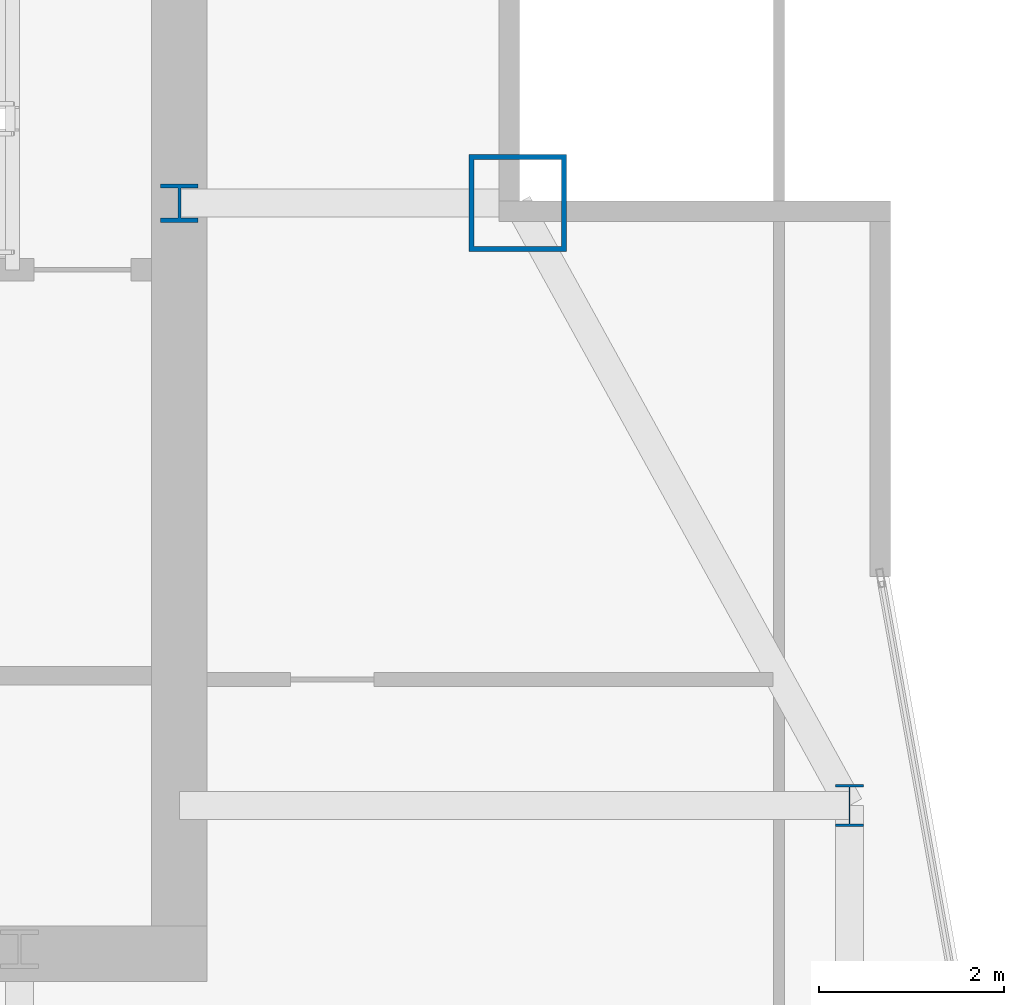
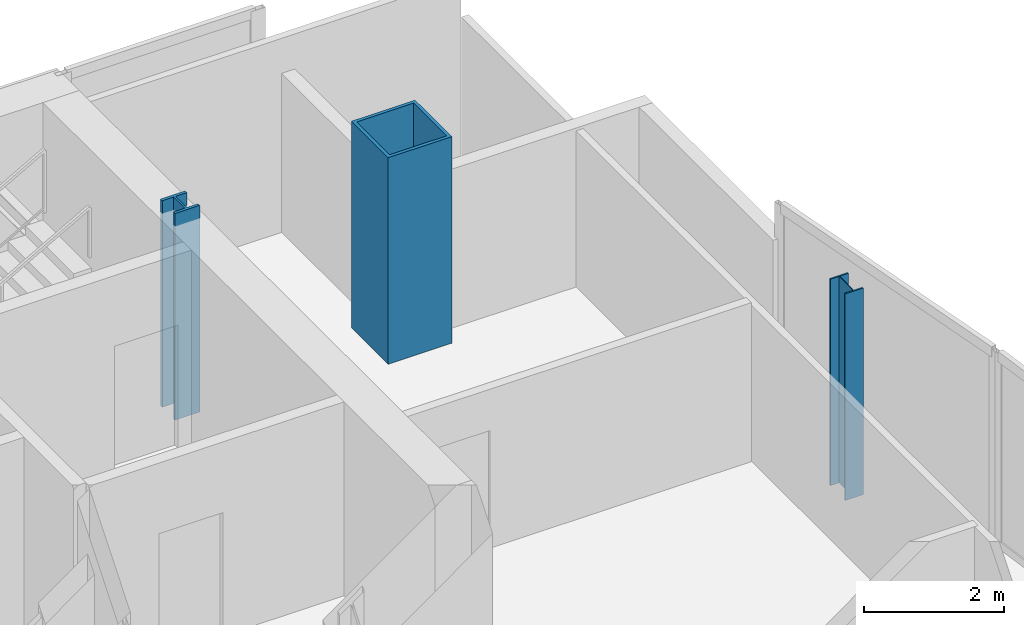
# One storey, part 4 of 30: 3 columns.
"""IFC4 building model written with IfcOpenShell, lengths in metres."""

from ifc_helpers import new_model, si_unit, direction, frame, origin, origin_2d, place, context, subcontext, project, spatial, hollow_rectangle, i_section, extrude, material, material_profile, profile_set, type_object, element, save


model = new_model("IFC4")

# Units and contexts
model_context = context("Model", 3, precision=1e-05, world=origin(), true_north=direction((0.0, 1.0)))
body_context = subcontext(model_context, "Body", "Model", "MODEL_VIEW")
ifc_project = project(units=[si_unit("LENGTHUNIT", "METRE"), si_unit("AREAUNIT", "SQUARE_METRE"), si_unit("VOLUMEUNIT", "CUBIC_METRE"), si_unit("PLANEANGLEUNIT", "RADIAN"), si_unit("MASSUNIT", "GRAM", prefix="KILO")], contexts=[model_context])

# Site, building, storey
site_placement = place(None, origin())
site = spatial("IfcSite", under=ifc_project, at=site_placement, CompositionType="ELEMENT")
building_placement = place(site_placement, origin())
building = spatial("IfcBuilding", under=site, at=building_placement, Name="Khoronbel Lancet Exchange", CompositionType="ELEMENT")
storey_placement = place(building_placement, frame((0.0, 0.0, 253.39990234375)))
storey = spatial("IfcBuildingStorey", under=building, at=storey_placement, Name="L65", CompositionType="ELEMENT", Elevation=253.39990234375)

# Columns
ifc_material_1 = material(Name="Steel S355", Category="steel")
ifc_material_profile_1 = material_profile(ifc_material_1, i_section(OverallWidth=0.406005859375, OverallDepth=0.416015625, WebThickness=0.02978515625, FlangeThickness=0.048095703125, at=origin_2d()), Name="HD 400x382")
ifc_profile_set_1 = profile_set([ifc_material_profile_1], Name="Steel S355")
column_type_1 = type_object("IfcColumnType", Name="COL-IC3", PredefinedType="COLUMN", material=ifc_profile_set_1)
column_1_placement = place(storey_placement, frame((56.39990234375, 49.699951171875, 0.0), z_axis=(0.0, 0.0, 1.0), x_axis=(1.0, 0.0, 0.0)))
element("IfcColumn", 1, at=column_1_placement, inside=storey, type_object=column_type_1, Name="Core-flank plumb transfer column CFE L65", PredefinedType="COLUMN", context=body_context, shape_type="SweptSolid", body=[
    extrude(i_section(OverallWidth=0.406005859375, OverallDepth=0.416015625, WebThickness=0.02978515625, FlangeThickness=0.048095703125, at=origin_2d()), origin(), (0.0, 0.0, 1.0), 3.60009765625),
])
ifc_material_profile_2 = material_profile(ifc_material_1, i_section(OverallWidth=0.300048828125, OverallDepth=0.449951171875, WebThickness=0.013916015625, FlangeThickness=0.02587890625, at=origin_2d()), Name="HEB 450")
ifc_profile_set_2 = profile_set([ifc_material_profile_2], Name="Steel S355")
column_type_2 = type_object("IfcColumnType", Name="COL-LC2", PredefinedType="COLUMN", material=ifc_profile_set_2)
column_2_placement = place(storey_placement, frame((63.6298828125, 43.199951171875, 0.0), z_axis=(0.0, 0.0, 1.0), x_axis=(1.0, 0.0, 0.0)))
element("IfcColumn", 2, at=column_2_placement, inside=storey, type_object=column_type_2, Name="Structural column EC-4 L65", PredefinedType="COLUMN", context=body_context, shape_type="SweptSolid", body=[
    extrude(i_section(OverallWidth=0.300048828125, OverallDepth=0.449951171875, WebThickness=0.013916015625, FlangeThickness=0.02587890625, at=origin_2d()), origin(), (0.0, 0.0, 1.0), 3.60009765625),
])
ifc_material_2 = material(Name="Steel S460", Category="steel")
ifc_material_profile_3 = material_profile(ifc_material_2, hollow_rectangle(XDim=1.050048828125, YDim=1.050048828125, WallThickness=0.054931640625, at=origin_2d()), Name="BOX 1050x1050x55")
ifc_profile_set_3 = profile_set([ifc_material_profile_3], Name="Steel S460")
column_type_3 = type_object("IfcColumnType", Name="COL-MC6", PredefinedType="COLUMN", material=ifc_profile_set_3)
column_3_placement = place(storey_placement, frame((60.050048828125, 49.699951171875, 0.0), z_axis=(0.0, 0.0, 1.0), x_axis=(1.0, 0.0, 0.0)))
element("IfcColumn", 3, at=column_3_placement, inside=storey, type_object=column_type_3, Name="Structural column MC-NE L65", PredefinedType="COLUMN", context=body_context, shape_type="SweptSolid", body=[
    extrude(hollow_rectangle(XDim=1.050048828125, YDim=1.050048828125, WallThickness=0.054931640625, at=origin_2d()), origin(), (0.0, 0.0, 1.0), 3.60009765625),
])

save(model, "model.ifc")
